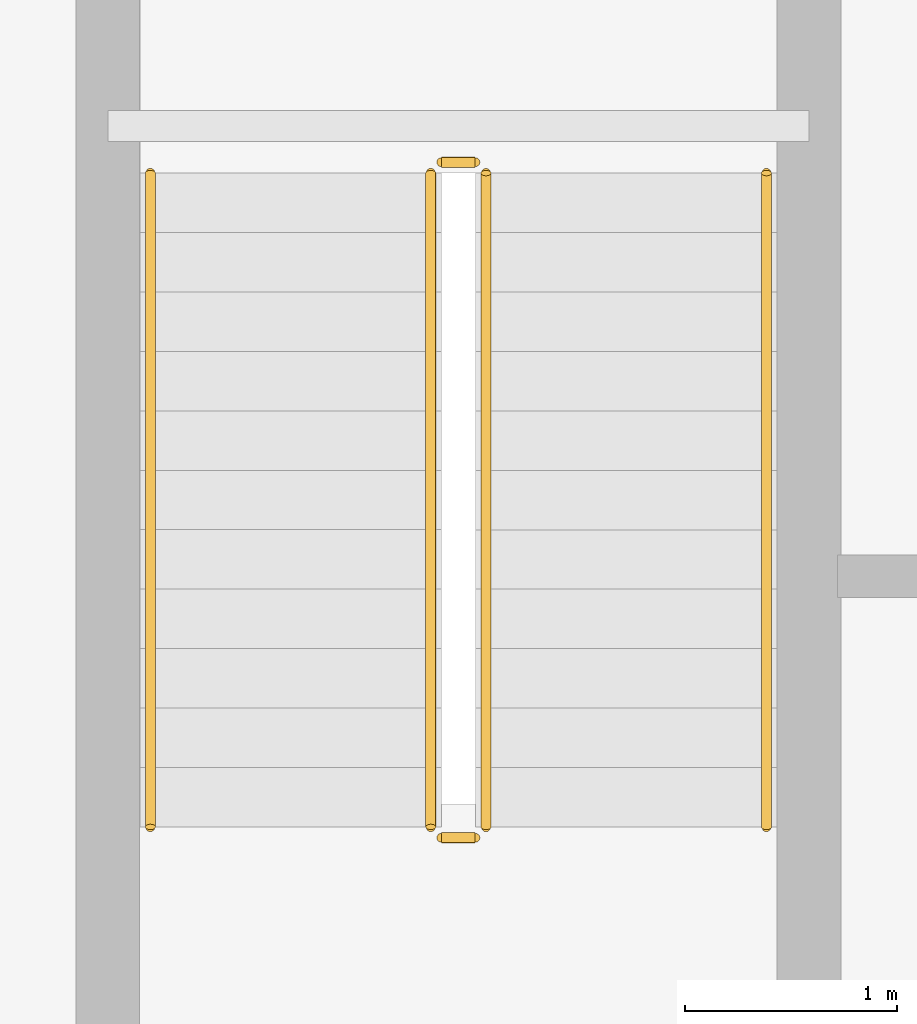
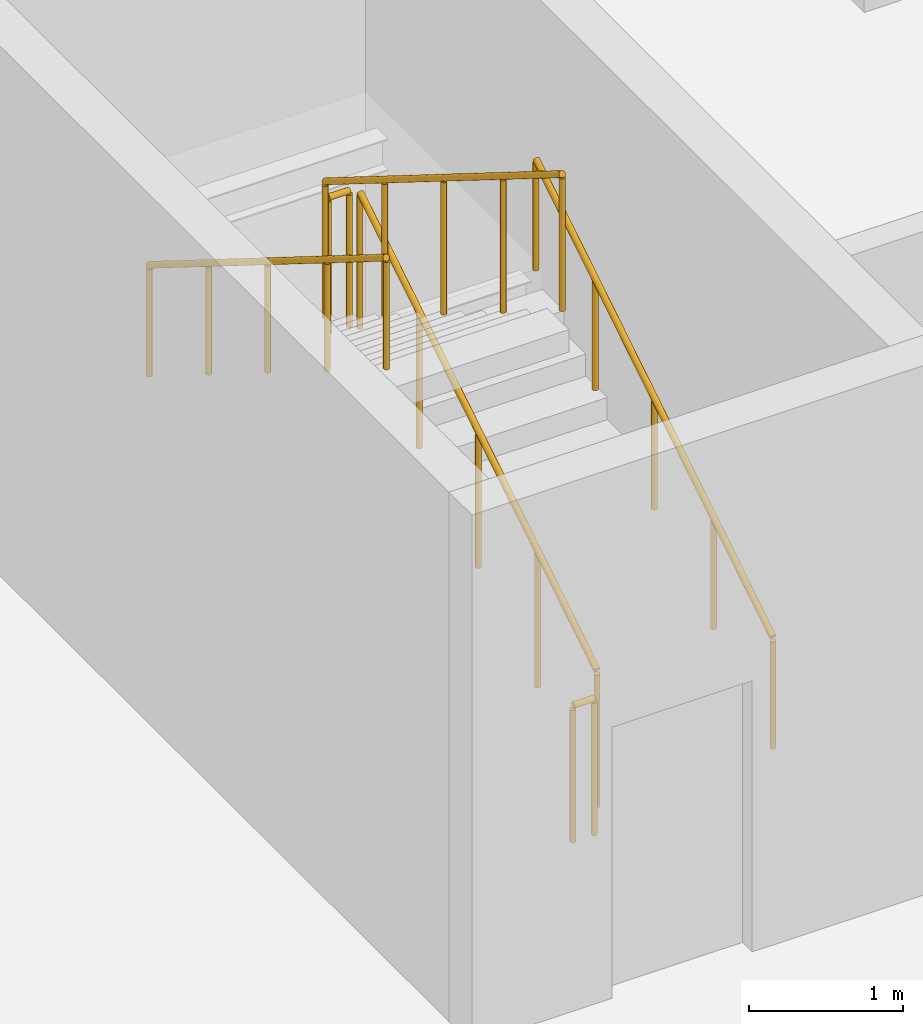
# One storey, part 9 of 10: 6 railings.
"""IFC4 building model written with IfcOpenShell, lengths in metres."""

from ifc_helpers import new_model, si_unit, direction, frame, origin, origin_2d, place, context, subcontext, project, spatial, circle, extrude, material, type_object, element, save


model = new_model("IFC4")

# Units and contexts
model_context = context("Model", 3, precision=1e-05, world=origin(), true_north=direction((0.0, 1.0)))
body_context = subcontext(model_context, "Body", "Model", "MODEL_VIEW")
ifc_project = project(units=[si_unit("LENGTHUNIT", "METRE"), si_unit("AREAUNIT", "SQUARE_METRE"), si_unit("VOLUMEUNIT", "CUBIC_METRE"), si_unit("PLANEANGLEUNIT", "RADIAN"), si_unit("MASSUNIT", "GRAM", prefix="KILO")], contexts=[model_context])

# Site, building, storey
site_placement = place(None, origin())
site = spatial("IfcSite", under=ifc_project, at=site_placement, CompositionType="ELEMENT")
building_placement = place(site_placement, origin())
building = spatial("IfcBuilding", under=site, at=building_placement, Name="Orvanel Arch Residences", CompositionType="ELEMENT")
storey_placement = place(building_placement, frame((0.0, 0.0, -4.199951171875)))
storey = spatial("IfcBuildingStorey", under=building, at=storey_placement, Name="B01", CompositionType="ELEMENT", Elevation=-4.199951171875)

# Railings
ifc_material = material(Name="Structural steel AS/NZS 1163 C350L0 (Grade 350)", Category="steel")
railing_type_1 = type_object("IfcRailingType", Name="RL-STAIR-GUARD", PredefinedType="GUARDRAIL", material=ifc_material)
railing_1_placement = place(storey_placement, frame((13.22998046875, 40.419921875, 0.175048828125)))
element("IfcRailing", 1, at=railing_1_placement, inside=storey, type_object=railing_type_1, Name="B01 ST-3 stair guard 1", PredefinedType="GUARDRAIL", context=body_context, shape_type="SweptSolid", body=[
    extrude(circle(Radius=0.02392578125, at=origin_2d()), frame((0.0, 0.001220703125, 1.076904296875), z_axis=(0.0, 0.848028513186, 0.529950602248), x_axis=(-1.0, 0.0, 0.0)), (0.0, 0.0, 1.0), 3.629150390625),
    extrude(circle(Radius=0.02099609375, at=origin_2d()), origin(), (0.0, 0.0, 1.0), 1.050048828125),
    extrude(circle(Radius=0.02099609375, at=origin_2d()), frame((0.0, 0.77001953125, 0.481201171875)), (0.0, 0.0, 1.0), 1.050048828125),
    extrude(circle(Radius=0.02099609375, at=origin_2d()), frame((0.0, 1.5400390625, 0.96240234375)), (0.0, 0.0, 1.0), 1.050048828125),
    extrude(circle(Radius=0.02099609375, at=origin_2d()), frame((0.0, 2.31005859375, 1.443603515625)), (0.0, 0.0, 1.0), 1.050048828125),
    extrude(circle(Radius=0.02099609375, at=origin_2d()), frame((0.0, 3.080078125, 1.9248046875)), (0.0, 0.0, 1.0), 1.050048828125),
])
railing_2_placement = place(storey_placement, frame((13.179931640625, 43.550048828125, 2.099853515625)))
element("IfcRailing", 2, at=railing_2_placement, inside=storey, type_object=railing_type_1, Name="B01 ST-3 stair guard 2", PredefinedType="GUARDRAIL", context=body_context, shape_type="SweptSolid", body=[
    extrude(circle(Radius=0.02392578125, at=origin_2d()), frame((-0.00146484375, 0.0, 1.076171875), z_axis=(-1.0, 0.0, 0.0), x_axis=(0.0, -1.0, 0.0)), (0.0, 0.0, 1.0), 0.156982421875),
    extrude(circle(Radius=0.02099609375, at=origin_2d()), origin(), (0.0, 0.0, 1.0), 1.050048828125),
    extrude(circle(Radius=0.02099609375, at=origin_2d()), frame((-0.159912109375, 0.0, 0.0)), (0.0, 0.0, 1.0), 1.050048828125),
])
railing_3_placement = place(storey_placement, frame((12.969970703125, 43.5, 2.27490234375)))
element("IfcRailing", 3, at=railing_3_placement, inside=storey, type_object=railing_type_1, Name="B01 ST-3 stair guard 3", PredefinedType="GUARDRAIL", context=body_context, shape_type="SweptSolid", body=[
    extrude(circle(Radius=0.02392578125, at=origin_2d()), frame((0.0, -0.001220703125, 1.076904296875), z_axis=(0.0, -0.847998304005, 0.529998940003), x_axis=(1.0, 0.0, 0.0)), (0.0, 0.0, 1.0), 3.629150390625),
    extrude(circle(Radius=0.02099609375, at=origin_2d()), origin(), (0.0, 0.0, 1.0), 1.050048828125),
    extrude(circle(Radius=0.02099609375, at=origin_2d()), frame((0.0, -0.77001953125, 0.481201171875)), (0.0, 0.0, 1.0), 1.050048828125),
    extrude(circle(Radius=0.02099609375, at=origin_2d()), frame((0.0, -1.5400390625, 0.96240234375)), (0.0, 0.0, 1.0), 1.050048828125),
    extrude(circle(Radius=0.02099609375, at=origin_2d()), frame((0.0, -2.31005859375, 1.44384765625)), (0.0, 0.0, 1.0), 1.050048828125),
    extrude(circle(Radius=0.02099609375, at=origin_2d()), frame((0.0, -3.080078125, 1.925048828125)), (0.0, 0.0, 1.0), 1.050048828125),
])
railing_4_placement = place(storey_placement, frame((13.179931640625, 40.3701171875, 0.0)))
element("IfcRailing", 4, at=railing_4_placement, inside=storey, type_object=railing_type_1, Name="B01 ST-3 stair guard 4", PredefinedType="GUARDRAIL", context=body_context, shape_type="SweptSolid", body=[
    extrude(circle(Radius=0.02392578125, at=origin_2d()), frame((-0.00146484375, 0.0, 1.076171875), z_axis=(-1.0, 0.0, 0.0), x_axis=(0.0, -1.0, 0.0)), (0.0, 0.0, 1.0), 0.156982421875),
    extrude(circle(Radius=0.02099609375, at=origin_2d()), origin(), (0.0, 0.0, 1.0), 1.050048828125),
    extrude(circle(Radius=0.02099609375, at=origin_2d()), frame((-0.159912109375, 0.0, 0.0)), (0.0, 0.0, 1.0), 1.050048828125),
])
railing_type_2 = type_object("IfcRailingType", Name="RL-STAIR-HAND", PredefinedType="HANDRAIL", material=ifc_material)
railing_5_placement = place(storey_placement, frame((14.550048828125, 40.419921875, 0.175048828125)))
element("IfcRailing", 5, at=railing_5_placement, inside=storey, type_object=railing_type_2, Name="B01 ST-3 stair handrail 1", PredefinedType="HANDRAIL", context=body_context, shape_type="SweptSolid", body=[
    extrude(circle(Radius=0.02392578125, at=origin_2d()), frame((0.0, 0.001220703125, 0.876708984375), z_axis=(0.0, 0.848028513186, 0.529950602248), x_axis=(-1.0, 0.0, 0.0)), (0.0, 0.0, 1.0), 3.629150390625),
    extrude(circle(Radius=0.02099609375, at=origin_2d()), origin(), (0.0, 0.0, 1.0), 0.849853515625),
    extrude(circle(Radius=0.02099609375, at=origin_2d()), frame((0.0, 0.77001953125, 0.481201171875)), (0.0, 0.0, 1.0), 0.849853515625),
    extrude(circle(Radius=0.02099609375, at=origin_2d()), frame((0.0, 1.5400390625, 0.96240234375)), (0.0, 0.0, 1.0), 0.849853515625),
    extrude(circle(Radius=0.02099609375, at=origin_2d()), frame((0.0, 2.31005859375, 1.443603515625)), (0.0, 0.0, 1.0), 0.849853515625),
    extrude(circle(Radius=0.02099609375, at=origin_2d()), frame((0.0, 3.080078125, 1.9248046875)), (0.0, 0.0, 1.0), 0.849853515625),
])
railing_6_placement = place(storey_placement, frame((11.64990234375, 43.5, 2.27490234375)))
element("IfcRailing", 6, at=railing_6_placement, inside=storey, type_object=railing_type_2, Name="B01 ST-3 stair handrail 2", PredefinedType="HANDRAIL", context=body_context, shape_type="SweptSolid", body=[
    extrude(circle(Radius=0.02392578125, at=origin_2d()), frame((0.0, -0.001220703125, 0.876708984375), z_axis=(0.0, -0.847998304005, 0.529998940003), x_axis=(1.0, 0.0, 0.0)), (0.0, 0.0, 1.0), 3.629150390625),
    extrude(circle(Radius=0.02099609375, at=origin_2d()), origin(), (0.0, 0.0, 1.0), 0.849853515625),
    extrude(circle(Radius=0.02099609375, at=origin_2d()), frame((0.0, -0.77001953125, 0.481201171875)), (0.0, 0.0, 1.0), 0.849853515625),
    extrude(circle(Radius=0.02099609375, at=origin_2d()), frame((0.0, -1.5400390625, 0.96240234375)), (0.0, 0.0, 1.0), 0.849853515625),
    extrude(circle(Radius=0.02099609375, at=origin_2d()), frame((0.0, -2.31005859375, 1.44384765625)), (0.0, 0.0, 1.0), 0.849853515625),
    extrude(circle(Radius=0.02099609375, at=origin_2d()), frame((0.0, -3.080078125, 1.925048828125)), (0.0, 0.0, 1.0), 0.849853515625),
])

save(model, "model.ifc")
